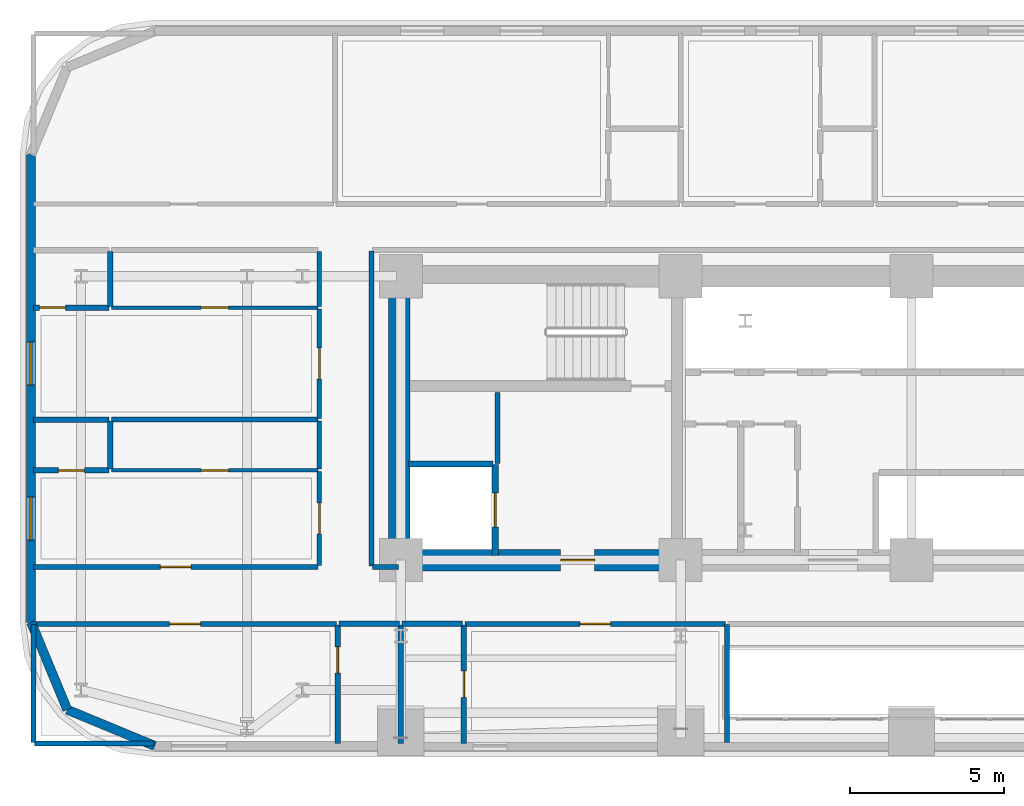
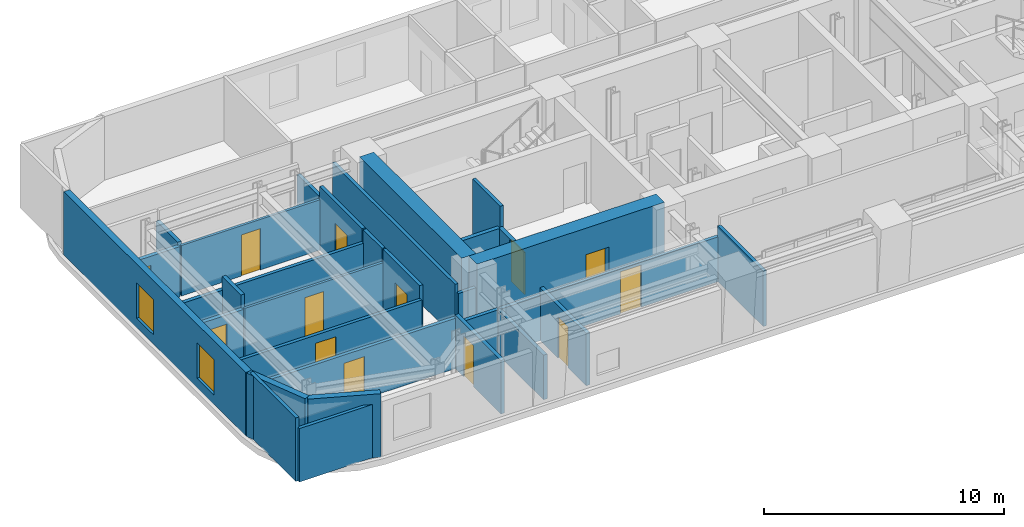
# One storey, part 7 of 15: 33 walls, 13 doors, 2 windows, 15 openings.
"""IFC4 building model written with IfcOpenShell, lengths in metres."""

import ifcopenshell
import ifcopenshell.guid

model = None  # the IFC model being written
_history = None  # IfcOwnerHistory: only IFC2X3 demands one
_inside = {}  # id of a spatial element -> (the spatial element, [elements in it])
_under = {}  # id of a project, library or spatial element -> (it, [spatial elements below it])
_declared = {}  # id of a project -> (the project, [libraries it declares])
_typed = {}  # id of a type object -> (the type object, [elements of that type])
_made_of = {}  # id of a material, layer set ... -> (it, [elements and type objects made of it])


def new_model(schema):
    """Start an empty IFC model of exactly this schema.

    Asked for "IFC4X3", IfcOpenShell would pick the latest addendum, in which some entities
    have other attributes; the version numbers below select the first issue.
    IFC2X3 requires an IfcOwnerHistory on every rooted entity: one is made here for all.
    """
    global model, _history
    if schema == "IFC4X3":
        model = ifcopenshell.file(schema_version=(4, 3, 0, 0))
    else:
        model = ifcopenshell.file(schema=schema)
    _inside.clear()
    _under.clear()
    _declared.clear()
    _typed.clear()
    _made_of.clear()
    _history = None
    if model.schema == "IFC2X3":
        org = make("IfcOrganization", Name="unknown")
        user = make(
            "IfcPersonAndOrganization",
            ThePerson=make("IfcPerson", FamilyName="unknown"),
            TheOrganization=org,
        )
        app = make(
            "IfcApplication",
            ApplicationDeveloper=org,
            Version="unknown",
            ApplicationFullName="unknown",
            ApplicationIdentifier="unknown",
        )
        _history = make(
            "IfcOwnerHistory",
            OwningUser=user,
            OwningApplication=app,
            ChangeAction="ADDED",
            CreationDate=0,
        )
    return model


def make(cls, **values):
    """One entity of the class cls with the attributes given. An attribute that is None is left unset."""
    return model.create_entity(
        cls, **{name: value for name, value in values.items() if value is not None}
    )


def rooted(cls, **values):
    """An entity with a GlobalId (a new one), such as an element, a storey or a relation."""
    return make(cls, GlobalId=ifcopenshell.guid.new(), OwnerHistory=_history, **values)


def si_unit(unit_type, name, prefix=None):
    """IfcSIUnit, for example si_unit("LENGTHUNIT", "METRE", prefix="MILLI")."""
    return make("IfcSIUnit", UnitType=unit_type, Prefix=prefix, Name=name)


def assignment(units):
    """IfcUnitAssignment: the units of a project."""
    return None if units is None else make("IfcUnitAssignment", Units=units)


def point(xyz):
    """IfcCartesianPoint."""
    return None if xyz is None else make("IfcCartesianPoint", Coordinates=xyz)


def direction(xyz):
    """IfcDirection."""
    return None if xyz is None else make("IfcDirection", DirectionRatios=xyz)


def frame(location, z_axis=None, x_axis=None):
    """IfcAxis2Placement3D, a coordinate frame: its origin and axes. An axis left out is left unset."""
    return make(
        "IfcAxis2Placement3D",
        Location=point(location),
        Axis=direction(z_axis),
        RefDirection=direction(x_axis),
    )


def frame_2d(location, x_axis=None):
    """IfcAxis2Placement2D, a coordinate frame in the plane: its origin and x axis."""
    return make(
        "IfcAxis2Placement2D", Location=point(location), RefDirection=direction(x_axis)
    )


def origin():
    """The frame at (0, 0, 0) with its axes left unset."""
    return frame((0.0, 0.0, 0.0))


def place(relative_to, where):
    """IfcLocalPlacement: puts the frame where relative to a parent placement (None: the world)."""
    return make(
        "IfcLocalPlacement", PlacementRelTo=relative_to, RelativePlacement=where
    )


def context(
    kind, dimensions, precision=None, world=None, true_north=None, identifier=None
):
    """IfcGeometricRepresentationContext, for example the 3D "Model" context."""
    return make(
        "IfcGeometricRepresentationContext",
        ContextIdentifier=identifier,
        ContextType=kind,
        CoordinateSpaceDimension=dimensions,
        Precision=precision,
        WorldCoordinateSystem=world,
        TrueNorth=true_north,
    )


def subcontext(parent, identifier, kind, view, scale=None):
    """IfcGeometricRepresentationSubContext, for example "Body" below "Model"."""
    return make(
        "IfcGeometricRepresentationSubContext",
        ContextIdentifier=identifier,
        ContextType=kind,
        ParentContext=parent,
        TargetScale=scale,
        TargetView=view,
    )


def project(units=None, contexts=None):
    """IfcProject with its units and contexts."""
    return rooted(
        "IfcProject",
        Name="project",
        RepresentationContexts=contexts,
        UnitsInContext=assignment(units),
    )


def spatial(cls, under=None, at=None, **own):
    """A site, building, storey or space (cls), placed at a placement, below another one or the project."""
    s = rooted(cls, ObjectPlacement=at, **own)
    if under is not None:
        _under.setdefault(under.id(), (under, []))[1].append(s)
    return s


def profile(cls, at=None, kind="AREA", **sizes):
    """A parametric profile (cls). Its sizes go by their IFC names, for example OverallWidth=200.0."""
    return make(cls, ProfileType=kind, Position=at, **sizes)


def rectangle(**sizes):
    """IfcRectangleProfileDef."""
    return profile("IfcRectangleProfileDef", **sizes)


def extrude(swept, where, along, depth):
    """IfcExtrudedAreaSolid: the profile swept, set in the frame where, extruded along a direction by depth."""
    return make(
        "IfcExtrudedAreaSolid",
        SweptArea=swept,
        Position=where,
        ExtrudedDirection=direction(along),
        Depth=depth,
    )


def shape(context_of_items, identifier, shape_type, items):
    """IfcShapeRepresentation: the items that make up one representation, for example the "Body"."""
    return make(
        "IfcShapeRepresentation",
        ContextOfItems=context_of_items,
        RepresentationIdentifier=identifier,
        RepresentationType=shape_type,
        Items=items,
    )


def material(Name=None, Category=None):
    """IfcMaterial."""
    return make("IfcMaterial", Name=Name, Category=Category)


def layer(
    of_material, thickness, ventilated=None, Name=None, Category=None, Priority=None
):
    """IfcMaterialLayer: one layer of a wall or slab, of a material (None: an air gap)."""
    return make(
        "IfcMaterialLayer",
        Material=of_material,
        LayerThickness=thickness,
        IsVentilated=ventilated,
        Name=Name,
        Category=Category,
        Priority=Priority,
    )


def layer_set(layers, Name=None):
    """IfcMaterialLayerSet."""
    return make("IfcMaterialLayerSet", MaterialLayers=layers, LayerSetName=Name)


def made_of(thing, what):
    """Note that an element or type object is made of a material, layer set ...; save() writes the relation."""
    if what is not None:
        _made_of.setdefault(what.id(), (what, []))[1].append(thing)
    return thing


def type_object(cls, material=None, **own):
    """A type object (cls), such as IfcWallType, which elements share."""
    return made_of(rooted(cls, **own), material)


def element(
    cls,
    number,
    at=None,
    inside=None,
    cuts=None,
    type_object=None,
    material=None,
    context=None,
    identifier="Body",
    shape_type=None,
    held_by="IfcProductDefinitionShape",
    body=None,
    shapes=None,
    **own,
):
    """One element of the class cls, such as IfcWall. Its Tag is "e" and its number.

    at: its placement. inside: the storey or other place that contains it. cuts: it is an
    opening in that element (IfcRelVoidsElement). A single representation is given by context,
    identifier, shape_type and body (its items); several are given by shapes. held_by: the class
    of the entity that holds the representations. save() writes the other relations.
    """
    e = rooted(cls, Tag="e%d" % number, ObjectPlacement=at, **own)
    if body is not None:
        shapes = [shape(context, identifier, shape_type, body)]
    if shapes is not None:
        e.Representation = make(held_by, Representations=shapes)
    if inside is not None:
        _inside.setdefault(inside.id(), (inside, []))[1].append(e)
    if cuts is not None:
        rooted(
            "IfcRelVoidsElement", RelatingBuildingElement=cuts, RelatedOpeningElement=e
        )
    if type_object is not None:
        _typed.setdefault(type_object.id(), (type_object, []))[1].append(e)
    return made_of(e, material)


def fill(opening, filler):
    """IfcRelFillsElement: the door or window that sits in an opening."""
    return rooted(
        "IfcRelFillsElement",
        RelatingOpeningElement=opening,
        RelatedBuildingElement=filler,
    )


def aggregate(whole, parts):
    """IfcRelAggregates: a whole, such as a stair, and the parts it consists of."""
    return rooted("IfcRelAggregates", RelatingObject=whole, RelatedObjects=parts)


def save(model, path):
    """Write the relations noted so far, then the file.

    IfcRelAggregates (storeys below a building ...), IfcRelContainedInSpatialStructure (elements
    in a storey), IfcRelDefinesByType, IfcRelAssociatesMaterial and IfcRelDeclares: one each for
    every whole, place, type object, material and project.
    """
    for whole, parts in _under.values():
        aggregate(whole, parts)
    for where, things in _inside.values():
        rooted(
            "IfcRelContainedInSpatialStructure",
            RelatedElements=things,
            RelatingStructure=where,
        )
    for kind, things in _typed.values():
        rooted("IfcRelDefinesByType", RelatedObjects=things, RelatingType=kind)
    for what, things in _made_of.values():
        rooted("IfcRelAssociatesMaterial", RelatedObjects=things, RelatingMaterial=what)
    for by, libraries in _declared.values():
        rooted("IfcRelDeclares", RelatingContext=by, RelatedDefinitions=libraries)
    model.write(path)


model = new_model("IFC4")

# Units and contexts
model_context = context("Model", 3, precision=1e-05, world=origin(), true_north=direction((0.0, 1.0)))
body_context = subcontext(model_context, "Body", "Model", "MODEL_VIEW")
ifc_project = project(units=[si_unit("LENGTHUNIT", "METRE"), si_unit("AREAUNIT", "SQUARE_METRE"), si_unit("VOLUMEUNIT", "CUBIC_METRE"), si_unit("PLANEANGLEUNIT", "RADIAN"), si_unit("MASSUNIT", "GRAM", prefix="KILO")], contexts=[model_context])

# Site, building, storey
site_placement = place(None, origin())
site = spatial("IfcSite", under=ifc_project, at=site_placement, CompositionType="ELEMENT")
building_placement = place(site_placement, origin())
building = spatial("IfcBuilding", under=site, at=building_placement, Name="Zarnavel Station Tower", CompositionType="ELEMENT")
storey_placement = place(building_placement, frame((0.0, 0.0, 43.0)))
storey = spatial("IfcBuildingStorey", under=building, at=storey_placement, Name="L11", CompositionType="ELEMENT", Elevation=43.0)

# Wall, opening, door
ifc_material_1 = material(Name="Concrete C60/75", Category="concrete")
ifc_layer_1 = layer(ifc_material_1, 0.699951171875)
ifc_layer_set_1 = layer_set([ifc_layer_1], Name="CW_700")
wall_type_1 = type_object("IfcWallType", Name="CW_700", PredefinedType="SHEAR", material=ifc_layer_set_1)
wall_1_placement = place(storey_placement, frame((21.179931640625, 27.820068359375, 0.0), z_axis=(0.0, 0.0, 1.0), x_axis=(-1.0, 0.0, 0.0)))
wall_1 = element("IfcWall", 1, at=wall_1_placement, inside=storey, type_object=wall_type_1, Name="L11 Rear Core Shear Wall S-W", PredefinedType="SHEAR", context=body_context, shape_type="SweptSolid", body=[
    extrude(rectangle(XDim=9.030029296875, YDim=0.699951171875, at=frame_2d((4.51513671875, 0.0))), origin(), (0.0, 0.0, 1.0), 3.5),
])
opening_1_placement = place(wall_1_placement, frame((2.679931640625, 0.0, 0.0)))
opening_1 = element("IfcOpeningElement", 2, at=opening_1_placement, cuts=wall_1, Name="Opening FD01", PredefinedType="OPENING", context=body_context, shape_type="SweptSolid", body=[
    extrude(rectangle(XDim=1.10009765625, YDim=2.14990234375, at=frame_2d((0.550048828125, 1.074951171875))), frame((0.0, 0.35986328125, 0.0), z_axis=(0.0, -1.0, 0.0), x_axis=(1.0, 0.0, 0.0)), (0.0, 0.0, 1.0), 0.719970703125),
])
ifc_material_2 = material(Name="Painted Galvanised Steel and Hardwood Leaf", Category="steel")
door_type_1 = type_object("IfcDoorType", Name="ID_STAIR_1100", OperationType="NOTDEFINED", PredefinedType="DOOR", material=ifc_material_2)
door_1_placement = place(opening_1_placement, origin())
door_1 = element("IfcDoor", 3, at=door_1_placement, inside=storey, type_object=door_type_1, Name="L11 West Firefighting Lobby Door", OperationType="SINGLE_SWING_RIGHT", OverallHeight=2.14990234375, OverallWidth=1.10009765625, PredefinedType="DOOR", context=body_context, shape_type="SweptSolid", body=[
    extrude(rectangle(XDim=1.10009765625, YDim=2.14990234375, at=frame_2d((0.550048828125, 1.074951171875))), frame((0.0, 0.02490234375, 0.0), z_axis=(0.0, -1.0, 0.0), x_axis=(1.0, 0.0, 0.0)), (0.0, 0.0, 1.0), 0.050048828125),
])
fill(opening_1, door_1)

# Wall
wall_2_placement = place(storey_placement, frame((12.14990234375, 28.169921875, 0.0), z_axis=(0.0, 0.0, 1.0), x_axis=(0.0, 1.0, 0.0)))
element("IfcWall", 4, at=wall_2_placement, inside=storey, type_object=wall_type_1, Name="L11 Rear Core Shear Wall W", PredefinedType="SHEAR", context=body_context, shape_type="SweptSolid", body=[
    extrude(rectangle(XDim=8.530029296875, YDim=0.699951171875, at=frame_2d((4.26513671875, 0.0))), origin(), (0.0, 0.0, 1.0), 3.5),
])

# Wall, openings, windows
ifc_material_3 = material(Name="Precast concrete C45/55 (Dark Basalt Finish)", Category="masonry")
ifc_layer_2 = layer(ifc_material_3, 0.300048828125)
ifc_layer_set_2 = layer_set([ifc_layer_2], Name="EW_BASALT_300")
wall_type_2 = type_object("IfcWallType", Name="EW_BASALT_300", PredefinedType="SOLIDWALL", material=ifc_layer_set_2)
wall_3_placement = place(storey_placement, frame((0.179931640625, 25.800048828125, 0.0), z_axis=(0.0, 0.0, 1.0), x_axis=(0.0, 1.0, 0.0)))
wall_3 = element("IfcWall", 5, at=wall_3_placement, inside=storey, type_object=wall_type_2, Name="L11 Exterior Basalt Masonry Frame Wall 09", PredefinedType="SOLIDWALL", context=body_context, shape_type="SweptSolid", body=[
    extrude(rectangle(XDim=15.199951171875, YDim=0.300048828125, at=frame_2d((7.60009765625, 0.0))), origin(), (0.0, 0.0, 1.0), 3.239990234375),
])
opening_2_placement = place(wall_3_placement, frame((2.67041015625, 0.0, 0.47998046875)))
opening_2 = element("IfcOpeningElement", 6, at=opening_2_placement, cuts=wall_3, Name="Opening WN01", PredefinedType="OPENING", context=body_context, shape_type="SweptSolid", body=[
    extrude(rectangle(XDim=1.39990234375, YDim=1.800048828125, at=frame_2d((0.699951171875, 0.89990234375))), frame((0.0, 0.159912109375, 0.0), z_axis=(0.0, -1.0, 0.0), x_axis=(1.0, 0.0, 0.0)), (0.0, 0.0, 1.0), 0.320068359375),
])
opening_3_placement = place(wall_3_placement, frame((7.708984375, 0.0, 0.47998046875)))
opening_3 = element("IfcOpeningElement", 7, at=opening_3_placement, cuts=wall_3, Name="Opening WN01", PredefinedType="OPENING", context=body_context, shape_type="SweptSolid", body=[
    extrude(rectangle(XDim=1.39990234375, YDim=1.800048828125, at=frame_2d((0.699951171875, 0.89990234375))), frame((0.0, 0.159912109375, 0.0), z_axis=(0.0, -1.0, 0.0), x_axis=(1.0, 0.0, 0.0)), (0.0, 0.0, 1.0), 0.320068359375),
])
ifc_material_4 = material(Name="Thermally Broken Black Aluminium and Low-E Dark Glass", Category="aluminium")
window_type = type_object("IfcWindowType", Name="WN_1400x1800", PartitioningType="DOUBLE_PANEL_VERTICAL", PredefinedType="WINDOW", material=ifc_material_4)
window_1_placement = place(opening_2_placement, origin())
window_1 = element("IfcWindow", 8, at=window_1_placement, inside=storey, type_object=window_type, Name="L11 Recessed Facade Window 01", OverallHeight=1.800048828125, OverallWidth=1.39990234375, PartitioningType="SINGLE_PANEL", PredefinedType="WINDOW", context=body_context, shape_type="SweptSolid", body=[
    extrude(rectangle(XDim=1.39990234375, YDim=1.800048828125, at=frame_2d((0.699951171875, 0.89990234375))), frame((0.0, 0.030029296875, 0.0), z_axis=(0.0, -1.0, 0.0), x_axis=(1.0, 0.0, 0.0)), (0.0, 0.0, 1.0), 0.06005859375),
])
fill(opening_2, window_1)
window_2_placement = place(opening_3_placement, origin())
window_2 = element("IfcWindow", 9, at=window_2_placement, inside=storey, type_object=window_type, Name="L11 Recessed Facade Window 02", OverallHeight=1.800048828125, OverallWidth=1.39990234375, PartitioningType="SINGLE_PANEL", PredefinedType="WINDOW", context=body_context, shape_type="SweptSolid", body=[
    extrude(rectangle(XDim=1.39990234375, YDim=1.800048828125, at=frame_2d((0.699951171875, 0.89990234375))), frame((0.0, 0.030029296875, 0.0), z_axis=(0.0, -1.0, 0.0), x_axis=(1.0, 0.0, 0.0)), (0.0, 0.0, 1.0), 0.06005859375),
])
fill(opening_3, window_2)

# Walls
for number, where, z_axis, x_axis, name in (
    (10, (1.357421875, 22.95751953125, 0.0), (0.0, 0.0, 1.0), (-0.382704529509, 0.923870793506, 0.0), "L11 Exterior Basalt Masonry Frame Wall 10"),
    (11, (4.199951171875, 21.780029296875, 0.0), (0.0, 0.0, 1.0), (-0.923870793506, 0.382704529509, 0.0), "L11 Exterior Basalt Masonry Frame Wall 11"),
):
    element("IfcWall", number, at=place(storey_placement, frame(where, z_axis=z_axis, x_axis=x_axis)), inside=storey, type_object=wall_type_2, Name=name, PredefinedType="SOLIDWALL", context=body_context, shape_type="SweptSolid", body=[
        extrude(rectangle(XDim=3.07666015625, YDim=0.300048828125, at=frame_2d((1.538330078125, 0.0))), origin(), (0.0, 0.0, 1.0), 3.239990234375),
    ])

# Wall, opening, door
ifc_material_5 = material(Name="Gypsum Twin-Stud Acoustic Fire Partition", Category="concrete")
ifc_layer_3 = layer(ifc_material_5, 0.159912109375)
ifc_layer_set_3 = layer_set([ifc_layer_3], Name="PT_DEMISE_160")
wall_type_3 = type_object("IfcWallType", Name="PT_DEMISE_160", PredefinedType="PARTITIONING", material=ifc_layer_set_3)
wall_4_placement = place(storey_placement, frame((0.260009765625, 27.60009765625, 0.0), z_axis=(0.0, 0.0, 1.0), x_axis=(1.0, 0.0, 0.0)))
wall_4 = element("IfcWall", 12, at=wall_4_placement, inside=storey, type_object=wall_type_3, Name="L11 Partition COR-S-FNW1R", PredefinedType="PARTITIONING", context=body_context, shape_type="SweptSolid", body=[
    extrude(rectangle(XDim=9.25, YDim=0.159912109375, at=frame_2d((4.625, 0.0))), origin(), (0.0, 0.0, 1.0), 2.570068359375),
])
opening_4_placement = place(wall_4_placement, frame((4.125, 0.0, 0.0)))
opening_4 = element("IfcOpeningElement", 13, at=opening_4_placement, cuts=wall_4, Name="Opening FD02", PredefinedType="OPENING", context=body_context, shape_type="SweptSolid", body=[
    extrude(rectangle(XDim=1.0, YDim=2.14990234375, at=frame_2d((0.5, 1.074951171875))), frame((0.0, 0.08984375, 0.0), z_axis=(0.0, -1.0, 0.0), x_axis=(1.0, 0.0, 0.0)), (0.0, 0.0, 1.0), 0.179931640625),
])
ifc_material_6 = material(Name="Painted Galvanised Steel and Hardwood Leaf", Category="steel")
door_type_2 = type_object("IfcDoorType", Name="ID_ENTRY_1000", OperationType="NOTDEFINED", PredefinedType="DOOR", material=ifc_material_6)
door_2_placement = place(opening_4_placement, origin())
door_2 = element("IfcDoor", 14, at=door_2_placement, inside=storey, type_object=door_type_2, Name="L11 Door COR-S-FNW1R", OperationType="SINGLE_SWING_RIGHT", OverallHeight=2.14990234375, OverallWidth=1.0, PredefinedType="DOOR", context=body_context, shape_type="SweptSolid", body=[
    extrude(rectangle(XDim=1.0, YDim=2.14990234375, at=frame_2d((0.5, 1.074951171875))), frame((0.0, 0.02490234375, 0.0), z_axis=(0.0, -1.0, 0.0), x_axis=(1.0, 0.0, 0.0)), (0.0, 0.0, 1.0), 0.050048828125),
])
fill(opening_4, door_2)

wall_5_placement = place(storey_placement, frame((0.260009765625, 25.75, 0.0), z_axis=(0.0, 0.0, 1.0), x_axis=(1.0, 0.0, 0.0)))
wall_5 = element("IfcWall", 15, at=wall_5_placement, inside=storey, type_object=wall_type_3, Name="L11 Partition COR-S-HW1R", PredefinedType="PARTITIONING", context=body_context, shape_type="SweptSolid", body=[
    extrude(rectangle(XDim=9.85009765625, YDim=0.159912109375, at=frame_2d((4.925048828125, 0.0))), origin(), (0.0, 0.0, 1.0), 2.570068359375),
])
opening_5_placement = place(wall_5_placement, frame((4.425048828125, 0.0, 0.0)))
opening_5 = element("IfcOpeningElement", 16, at=opening_5_placement, cuts=wall_5, Name="Opening FD02", PredefinedType="OPENING", context=body_context, shape_type="SweptSolid", body=[
    extrude(rectangle(XDim=1.0, YDim=2.14990234375, at=frame_2d((0.5, 1.074951171875))), frame((0.0, 0.08984375, 0.0), z_axis=(0.0, -1.0, 0.0), x_axis=(1.0, 0.0, 0.0)), (0.0, 0.0, 1.0), 0.179931640625),
])
door_3_placement = place(opening_5_placement, origin())
door_3 = element("IfcDoor", 17, at=door_3_placement, inside=storey, type_object=door_type_2, Name="L11 Door COR-S-HW1R", OperationType="SINGLE_SWING_RIGHT", OverallHeight=2.14990234375, OverallWidth=1.0, PredefinedType="DOOR", context=body_context, shape_type="SweptSolid", body=[
    extrude(rectangle(XDim=1.0, YDim=2.14990234375, at=frame_2d((0.5, 1.074951171875))), frame((0.0, 0.02490234375, 0.0), z_axis=(0.0, -1.0, 0.0), x_axis=(1.0, 0.0, 0.0)), (0.0, 0.0, 1.0), 0.050048828125),
])
fill(opening_5, door_3)

wall_6_placement = place(storey_placement, frame((14.2900390625, 25.75, 0.0), z_axis=(0.0, 0.0, 1.0), x_axis=(1.0, 0.0, 0.0)))
wall_6 = element("IfcWall", 18, at=wall_6_placement, inside=storey, type_object=wall_type_3, Name="L11 Partition COR-S-HW2R", PredefinedType="PARTITIONING", context=body_context, shape_type="SweptSolid", body=[
    extrude(rectangle(XDim=8.469970703125, YDim=0.159912109375, at=frame_2d((4.23486328125, 0.0))), origin(), (0.0, 0.0, 1.0), 2.280029296875),
])
opening_6_placement = place(wall_6_placement, frame((3.735107421875, 0.0, 0.0)))
opening_6 = element("IfcOpeningElement", 19, at=opening_6_placement, cuts=wall_6, Name="Opening FD02", PredefinedType="OPENING", context=body_context, shape_type="SweptSolid", body=[
    extrude(rectangle(XDim=1.0, YDim=2.14990234375, at=frame_2d((0.5, 1.074951171875))), frame((0.0, 0.08984375, 0.0), z_axis=(0.0, -1.0, 0.0), x_axis=(1.0, 0.0, 0.0)), (0.0, 0.0, 1.0), 0.179931640625),
])
door_4_placement = place(opening_6_placement, origin())
door_4 = element("IfcDoor", 20, at=door_4_placement, inside=storey, type_object=door_type_2, Name="L11 Door COR-S-HW2R", OperationType="SINGLE_SWING_LEFT", OverallHeight=2.14990234375, OverallWidth=1.0, PredefinedType="DOOR", context=body_context, shape_type="SweptSolid", body=[
    extrude(rectangle(XDim=1.0, YDim=2.14990234375, at=frame_2d((0.5, 1.074951171875))), frame((0.0, 0.02490234375, 0.0), z_axis=(0.0, -1.0, 0.0), x_axis=(1.0, 0.0, 0.0)), (0.0, 0.0, 1.0), 0.050048828125),
])
fill(opening_6, door_4)

wall_7_placement = place(storey_placement, frame((9.550048828125, 27.639892578125, 0.0), z_axis=(0.0, 0.0, 1.0), x_axis=(0.0, 1.0, 0.0)))
wall_7 = element("IfcWall", 21, at=wall_7_placement, inside=storey, type_object=wall_type_3, Name="L11 Partition COR-W-FNW1R", PredefinedType="PARTITIONING", context=body_context, shape_type="SweptSolid", body=[
    extrude(rectangle(XDim=3.06103515625, YDim=0.159912109375, at=frame_2d((1.530517578125, 0.0))), origin(), (0.0, 0.0, 1.0), 3.239990234375),
])
opening_7_placement = place(wall_7_placement, frame((1.030517578125, 0.0, 0.0)))
opening_7 = element("IfcOpeningElement", 22, at=opening_7_placement, cuts=wall_7, Name="Opening FD02", PredefinedType="OPENING", context=body_context, shape_type="SweptSolid", body=[
    extrude(rectangle(XDim=1.0, YDim=2.14990234375, at=frame_2d((0.5, 1.074951171875))), frame((0.0, 0.08984375, 0.0), z_axis=(0.0, -1.0, 0.0), x_axis=(1.0, 0.0, 0.0)), (0.0, 0.0, 1.0), 0.179931640625),
])
door_5_placement = place(opening_7_placement, origin())
door_5 = element("IfcDoor", 23, at=door_5_placement, inside=storey, type_object=door_type_2, Name="L11 Door COR-W-FNW1R", OperationType="SINGLE_SWING_RIGHT", OverallHeight=2.14990234375, OverallWidth=1.0, PredefinedType="DOOR", context=body_context, shape_type="SweptSolid", body=[
    extrude(rectangle(XDim=1.0, YDim=2.14990234375, at=frame_2d((0.5, 1.074951171875))), frame((0.0, 0.02490234375, 0.0), z_axis=(0.0, -1.0, 0.0), x_axis=(1.0, 0.0, 0.0)), (0.0, 0.0, 1.0), 0.050048828125),
])
fill(opening_7, door_5)

# Wall
wall_8_placement = place(storey_placement, frame((9.550048828125, 30.781005859375, 0.0), z_axis=(0.0, 0.0, 1.0), x_axis=(0.0, 1.0, 0.0)))
element("IfcWall", 24, at=wall_8_placement, inside=storey, type_object=wall_type_3, Name="L11 Partition COR-W-FNW1S", PredefinedType="PARTITIONING", context=body_context, shape_type="SweptSolid", body=[
    extrude(rectangle(XDim=1.570068359375, YDim=0.159912109375, at=frame_2d((0.78515625, 0.0))), origin(), (0.0, 0.0, 1.0), 3.239990234375),
])

# Wall, opening, door
wall_9_placement = place(storey_placement, frame((9.550048828125, 32.430908203125, 0.0), z_axis=(0.0, 0.0, 1.0), x_axis=(0.0, 1.0, 0.0)))
wall_9 = element("IfcWall", 25, at=wall_9_placement, inside=storey, type_object=wall_type_3, Name="L11 Partition COR-W-FNW2R", PredefinedType="PARTITIONING", context=body_context, shape_type="SweptSolid", body=[
    extrude(rectangle(XDim=3.55615234375, YDim=0.159912109375, at=frame_2d((1.778076171875, 0.0))), origin(), (0.0, 0.0, 1.0), 3.239990234375),
])
opening_8_placement = place(wall_9_placement, frame((1.278076171875, 0.0, 0.0)))
opening_8 = element("IfcOpeningElement", 26, at=opening_8_placement, cuts=wall_9, Name="Opening FD02", PredefinedType="OPENING", context=body_context, shape_type="SweptSolid", body=[
    extrude(rectangle(XDim=1.0, YDim=2.14990234375, at=frame_2d((0.5, 1.074951171875))), frame((0.0, 0.08984375, 0.0), z_axis=(0.0, -1.0, 0.0), x_axis=(1.0, 0.0, 0.0)), (0.0, 0.0, 1.0), 0.179931640625),
])
door_6_placement = place(opening_8_placement, origin())
door_6 = element("IfcDoor", 27, at=door_6_placement, inside=storey, type_object=door_type_2, Name="L11 Door COR-W-FNW2R", OperationType="SINGLE_SWING_LEFT", OverallHeight=2.14990234375, OverallWidth=1.0, PredefinedType="DOOR", context=body_context, shape_type="SweptSolid", body=[
    extrude(rectangle(XDim=1.0, YDim=2.14990234375, at=frame_2d((0.5, 1.074951171875))), frame((0.0, 0.02490234375, 0.0), z_axis=(0.0, -1.0, 0.0), x_axis=(1.0, 0.0, 0.0)), (0.0, 0.0, 1.0), 0.050048828125),
])
fill(opening_8, door_6)

# Walls
wall_10_placement = place(storey_placement, frame((9.550048828125, 36.06689453125, 0.0), z_axis=(0.0, 0.0, 1.0), x_axis=(0.0, 1.0, 0.0)))
element("IfcWall", 28, at=wall_10_placement, inside=storey, type_object=wall_type_3, Name="L11 Partition COR-W-FNW2S", PredefinedType="PARTITIONING", context=body_context, shape_type="SweptSolid", body=[
    extrude(rectangle(XDim=1.793212890625, YDim=0.159912109375, at=frame_2d((0.896484375, 0.0))), origin(), (0.0, 0.0, 1.0), 2.719970703125),
])
wall_11_placement = place(storey_placement, frame((2.800048828125, 32.39111328125, 0.0), z_axis=(0.0, 0.0, 1.0), x_axis=(1.0, 0.0, 0.0)))
element("IfcWall", 29, at=wall_11_placement, inside=storey, type_object=wall_type_3, Name="L11 Partition FNW1S-FNW2R", PredefinedType="PARTITIONING", context=body_context, shape_type="SweptSolid", body=[
    extrude(rectangle(XDim=6.7099609375, YDim=0.159912109375, at=frame_2d((3.35498046875, 0.0))), origin(), (0.0, 0.0, 1.0), 2.570068359375),
])
wall_12_placement = place(storey_placement, frame((15.35009765625, 30.9599609375, 0.0), z_axis=(0.0, 0.0, 1.0), x_axis=(0.0, 1.0, 0.0)))
element("IfcWall", 30, at=wall_12_placement, inside=storey, type_object=wall_type_3, Name="L11 Enclosure Wall FFL1", PredefinedType="PARTITIONING", context=body_context, shape_type="SweptSolid", body=[
    extrude(rectangle(XDim=2.31005859375, YDim=0.159912109375, at=frame_2d((1.155029296875, 0.0))), origin(), (0.0, 0.0, 1.0), 3.239990234375),
])
wall_13_placement = place(storey_placement, frame((11.280029296875, 27.60009765625, 0.0), z_axis=(0.0, 0.0, 1.0), x_axis=(1.0, 0.0, 0.0)))
element("IfcWall", 31, at=wall_13_placement, inside=storey, type_object=wall_type_3, Name="L11 Enclosure Wall COR-S", PredefinedType="PARTITIONING", context=body_context, shape_type="SweptSolid", body=[
    extrude(rectangle(XDim=0.840087890625, YDim=0.159912109375, at=frame_2d((0.419921875, 0.0))), origin(), (0.0, 0.0, 1.0), 2.280029296875),
])
wall_14_placement = place(storey_placement, frame((11.25, 27.6298828125, 0.0), z_axis=(0.0, 0.0, 1.0), x_axis=(0.0, 1.0, 0.0)))
element("IfcWall", 32, at=wall_14_placement, inside=storey, type_object=wall_type_3, Name="L11 Enclosure Wall COR-W", PredefinedType="PARTITIONING", context=body_context, shape_type="SweptSolid", body=[
    extrude(rectangle(XDim=10.240234375, YDim=0.159912109375, at=frame_2d((5.1201171875, 0.0))), origin(), (0.0, 0.0, 1.0), 2.719970703125),
])
wall_15_placement = place(storey_placement, frame((0.2900390625, 21.860107421875, 0.0), z_axis=(0.0, 0.0, 1.0), x_axis=(1.0, 0.0, 0.0)))
element("IfcWall", 33, at=wall_15_placement, inside=storey, type_object=wall_type_3, Name="L11 Enclosure Wall HW1R", PredefinedType="PARTITIONING", context=body_context, shape_type="SweptSolid", body=[
    extrude(rectangle(XDim=3.8798828125, YDim=0.159912109375, at=frame_2d((1.93994140625, 0.0))), origin(), (0.0, 0.0, 1.0), 2.719970703125),
])
wall_16_placement = place(storey_placement, frame((0.260009765625, 21.889892578125, 0.0), z_axis=(0.0, 0.0, 1.0), x_axis=(0.0, 1.0, 0.0)))
element("IfcWall", 34, at=wall_16_placement, inside=storey, type_object=wall_type_3, Name="L11 Enclosure Wall HW1R", PredefinedType="PARTITIONING", context=body_context, shape_type="SweptSolid", body=[
    extrude(rectangle(XDim=3.830078125, YDim=0.159912109375, at=frame_2d((1.9150390625, 0.0))), origin(), (0.0, 0.0, 1.0), 3.239990234375),
])
wall_17_placement = place(storey_placement, frame((22.800048828125, 21.889892578125, 0.0), z_axis=(0.0, 0.0, 1.0), x_axis=(0.0, 1.0, 0.0)))
element("IfcWall", 35, at=wall_17_placement, inside=storey, type_object=wall_type_3, Name="L11 Enclosure Wall HW2R", PredefinedType="PARTITIONING", context=body_context, shape_type="SweptSolid", body=[
    extrude(rectangle(XDim=3.830078125, YDim=0.159912109375, at=frame_2d((1.9150390625, 0.0))), origin(), (0.0, 0.0, 1.0), 2.820068359375),
])

# Wall, opening, door
ifc_material_7 = material(Name="Gypsum Metal-Stud Interior Partition", Category="concrete")
ifc_layer_4 = layer(ifc_material_7, 0.1201171875)
ifc_layer_set_4 = layer_set([ifc_layer_4], Name="PT_ROOM_120")
wall_type_4 = type_object("IfcWallType", Name="PT_ROOM_120", PredefinedType="PARTITIONING", material=ifc_layer_set_4)
wall_18_placement = place(storey_placement, frame((2.800048828125, 30.740966796875, 0.0), z_axis=(0.0, 0.0, 1.0), x_axis=(1.0, 0.0, 0.0)))
wall_18 = element("IfcWall", 36, at=wall_18_placement, inside=storey, type_object=wall_type_4, Name="L11 Partition FNW1R-FNW1S", PredefinedType="PARTITIONING", context=body_context, shape_type="SweptSolid", body=[
    extrude(rectangle(XDim=6.7099609375, YDim=0.1201171875, at=frame_2d((3.35498046875, 0.0))), origin(), (0.0, 0.0, 1.0), 2.570068359375),
])
opening_9_placement = place(wall_18_placement, frame((2.905029296875, 0.0, 0.0)))
opening_9 = element("IfcOpeningElement", 37, at=opening_9_placement, cuts=wall_18, Name="Opening ID01", PredefinedType="OPENING", context=body_context, shape_type="SweptSolid", body=[
    extrude(rectangle(XDim=0.89990234375, YDim=2.10009765625, at=frame_2d((0.449951171875, 1.050048828125))), frame((0.0, 0.070068359375, 0.0), z_axis=(0.0, -1.0, 0.0), x_axis=(1.0, 0.0, 0.0)), (0.0, 0.0, 1.0), 0.14013671875),
])
ifc_material_8 = material(Name="Painted Galvanised Steel and Hardwood Leaf", Category="steel")
door_type_3 = type_object("IfcDoorType", Name="ID_ROOM_900", OperationType="NOTDEFINED", PredefinedType="DOOR", material=ifc_material_8)
door_7_placement = place(opening_9_placement, origin())
door_7 = element("IfcDoor", 38, at=door_7_placement, inside=storey, type_object=door_type_3, Name="L11 Door FNW1R-FNW1S", OperationType="SINGLE_SWING_RIGHT", OverallHeight=2.10009765625, OverallWidth=0.89990234375, PredefinedType="DOOR", context=body_context, shape_type="SweptSolid", body=[
    extrude(rectangle(XDim=0.89990234375, YDim=2.10009765625, at=frame_2d((0.449951171875, 1.050048828125))), frame((0.0, 0.02490234375, 0.0), z_axis=(0.0, -1.0, 0.0), x_axis=(1.0, 0.0, 0.0)), (0.0, 0.0, 1.0), 0.050048828125),
])
fill(opening_9, door_7)

wall_19_placement = place(storey_placement, frame((2.800048828125, 36.027099609375, 0.0), z_axis=(0.0, 0.0, 1.0), x_axis=(1.0, 0.0, 0.0)))
wall_19 = element("IfcWall", 39, at=wall_19_placement, inside=storey, type_object=wall_type_4, Name="L11 Partition FNW2R-FNW2S", PredefinedType="PARTITIONING", context=body_context, shape_type="SweptSolid", body=[
    extrude(rectangle(XDim=6.7099609375, YDim=0.1201171875, at=frame_2d((3.35498046875, 0.0))), origin(), (0.0, 0.0, 1.0), 2.570068359375),
])
opening_10_placement = place(wall_19_placement, frame((2.905029296875, 0.0, 0.0)))
opening_10 = element("IfcOpeningElement", 40, at=opening_10_placement, cuts=wall_19, Name="Opening ID01", PredefinedType="OPENING", context=body_context, shape_type="SweptSolid", body=[
    extrude(rectangle(XDim=0.89990234375, YDim=2.10009765625, at=frame_2d((0.449951171875, 1.050048828125))), frame((0.0, 0.070068359375, 0.0), z_axis=(0.0, -1.0, 0.0), x_axis=(1.0, 0.0, 0.0)), (0.0, 0.0, 1.0), 0.14013671875),
])
door_8_placement = place(opening_10_placement, origin())
door_8 = element("IfcDoor", 41, at=door_8_placement, inside=storey, type_object=door_type_3, Name="L11 Door FNW2R-FNW2S", OperationType="SINGLE_SWING_RIGHT", OverallHeight=2.10009765625, OverallWidth=0.89990234375, PredefinedType="DOOR", context=body_context, shape_type="SweptSolid", body=[
    extrude(rectangle(XDim=0.89990234375, YDim=2.10009765625, at=frame_2d((0.449951171875, 1.050048828125))), frame((0.0, 0.02490234375, 0.0), z_axis=(0.0, -1.0, 0.0), x_axis=(1.0, 0.0, 0.0)), (0.0, 0.0, 1.0), 0.050048828125),
])
fill(opening_10, door_8)

ifc_material_9 = material(Name="Precast concrete C45/55 (Fire Shaft Blockwork)", Category="masonry")
ifc_layer_5 = layer(ifc_material_9, 0.199951171875)
ifc_layer_set_5 = layer_set([ifc_layer_5], Name="PT_SHAFT_200")
wall_type_5 = type_object("IfcWallType", Name="PT_SHAFT_200", PredefinedType="PARTITIONING", material=ifc_layer_set_5)
wall_20_placement = place(storey_placement, frame((15.27001953125, 27.969970703125, 0.0), z_axis=(0.0, 0.0, 1.0), x_axis=(0.0, 1.0, 0.0)))
wall_20 = element("IfcWall", 42, at=wall_20_placement, inside=storey, type_object=wall_type_5, Name="L11 Lift FFL-01 Shaft Front Wall", PredefinedType="PARTITIONING", context=body_context, shape_type="SweptSolid", body=[
    extrude(rectangle(XDim=2.9599609375, YDim=0.199951171875, at=frame_2d((1.47998046875, 0.0))), origin(), (0.0, 0.0, 1.0), 2.2119140625),
])
opening_11_placement = place(wall_20_placement, frame((0.929931640625, 0.0, 0.0)))
opening_11 = element("IfcOpeningElement", 43, at=opening_11_placement, cuts=wall_20, Name="Opening LD01", PredefinedType="OPENING", context=body_context, shape_type="SweptSolid", body=[
    extrude(rectangle(XDim=1.10009765625, YDim=2.14990234375, at=frame_2d((0.550048828125, 1.074951171875))), frame((0.0, 0.10986328125, 0.0), z_axis=(0.0, -1.0, 0.0), x_axis=(1.0, 0.0, 0.0)), (0.0, 0.0, 1.0), 0.219970703125),
])
ifc_material_10 = material(Name="Painted Galvanised Steel and Hardwood Leaf", Category="steel")
door_type_4 = type_object("IfcDoorType", Name="LD_FF_1100", OperationType="DOUBLE_DOOR_SLIDING", PredefinedType="DOOR", material=ifc_material_10)
door_9_placement = place(opening_11_placement, origin())
door_9 = element("IfcDoor", 44, at=door_9_placement, inside=storey, type_object=door_type_4, Name="L11 Lift FFL-01 Sliding Landing Door", OperationType="DOUBLE_DOOR_SLIDING", OverallHeight=2.14990234375, OverallWidth=1.10009765625, PredefinedType="DOOR", context=body_context, shape_type="SweptSolid", body=[
    extrude(rectangle(XDim=1.10009765625, YDim=2.14990234375, at=frame_2d((0.550048828125, 1.074951171875))), frame((0.0, 0.02490234375, 0.0), z_axis=(0.0, -1.0, 0.0), x_axis=(1.0, 0.0, 0.0)), (0.0, 0.0, 1.0), 0.050048828125),
])
fill(opening_11, door_9)

# Walls
wall_21_placement = place(storey_placement, frame((12.449951171875, 30.949951171875, 0.0), z_axis=(0.0, 0.0, 1.0), x_axis=(1.0, 0.0, 0.0)))
element("IfcWall", 45, at=wall_21_placement, inside=storey, type_object=wall_type_5, Name="L11 Lift FFL-01 North Shaft Wall", PredefinedType="PARTITIONING", context=body_context, shape_type="SweptSolid", body=[
    extrude(rectangle(XDim=2.75, YDim=0.199951171875, at=frame_2d((1.375, 0.0))), origin(), (0.0, 0.0, 1.0), 2.2119140625),
])
ifc_material_11 = material(Name="Moisture-Resistant Plumbing Chase Wall", Category="concrete")
ifc_layer_6 = layer(ifc_material_11, 0.179931640625)
ifc_layer_set_6 = layer_set([ifc_layer_6], Name="PW_PLUMB_180")
wall_type_6 = type_object("IfcWallType", Name="PW_PLUMB_180", PredefinedType="PLUMBINGWALL", material=ifc_layer_set_6)
for number, where, z_axis, x_axis, name in (
    (46, (10.18994140625, 25.75, 0.0), (0.0, 0.0, 1.0), (1.0, 0.0, 0.0), "L11 Partition COR-S-HW1B"),
    (47, (12.239990234375, 25.75, 0.0), (0.0, 0.0, 1.0), (1.0, 0.0, 0.0), "L11 Partition COR-S-HW2B"),
):
    element("IfcWall", number, at=place(storey_placement, frame(where, z_axis=z_axis, x_axis=x_axis)), inside=storey, type_object=wall_type_6, Name=name, PredefinedType="PLUMBINGWALL", context=body_context, shape_type="SweptSolid", body=[
        extrude(rectangle(XDim=1.969970703125, YDim=0.179931640625, at=frame_2d((0.98486328125, 0.0))), origin(), (0.0, 0.0, 1.0), 2.280029296875),
    ])

# Wall, opening, door
wall_22_placement = place(storey_placement, frame((0.260009765625, 30.740966796875, 0.0), z_axis=(0.0, 0.0, 1.0), x_axis=(1.0, 0.0, 0.0)))
wall_22 = element("IfcWall", 48, at=wall_22_placement, inside=storey, type_object=wall_type_6, Name="L11 Partition FNW1R-FNW1B", PredefinedType="PLUMBINGWALL", context=body_context, shape_type="SweptSolid", body=[
    extrude(rectangle(XDim=2.4599609375, YDim=0.179931640625, at=frame_2d((1.22998046875, 0.0))), origin(), (0.0, 0.0, 1.0), 2.570068359375),
])
opening_12_placement = place(wall_22_placement, frame((0.804931640625, 0.0, 0.0)))
opening_12 = element("IfcOpeningElement", 49, at=opening_12_placement, cuts=wall_22, Name="Opening ID02", PredefinedType="OPENING", context=body_context, shape_type="SweptSolid", body=[
    extrude(rectangle(XDim=0.85009765625, YDim=2.10009765625, at=frame_2d((0.425048828125, 1.050048828125))), frame((0.0, 0.099853515625, 0.0), z_axis=(0.0, -1.0, 0.0), x_axis=(1.0, 0.0, 0.0)), (0.0, 0.0, 1.0), 0.199951171875),
])
ifc_material_12 = material(Name="Painted Galvanised Steel and Hardwood Leaf", Category="steel")
door_type_5 = type_object("IfcDoorType", Name="ID_BATH_850", OperationType="NOTDEFINED", PredefinedType="DOOR", material=ifc_material_12)
door_10_placement = place(opening_12_placement, origin())
door_10 = element("IfcDoor", 50, at=door_10_placement, inside=storey, type_object=door_type_5, Name="L11 Door FNW1R-FNW1B", OperationType="SINGLE_SWING_LEFT", OverallHeight=2.10009765625, OverallWidth=0.85009765625, PredefinedType="DOOR", context=body_context, shape_type="SweptSolid", body=[
    extrude(rectangle(XDim=0.85009765625, YDim=2.10009765625, at=frame_2d((0.425048828125, 1.050048828125))), frame((0.0, 0.02490234375, 0.0), z_axis=(0.0, -1.0, 0.0), x_axis=(1.0, 0.0, 0.0)), (0.0, 0.0, 1.0), 0.050048828125),
])
fill(opening_12, door_10)

# Walls
wall_23_placement = place(storey_placement, frame((2.760009765625, 30.781005859375, 0.0), z_axis=(0.0, 0.0, 1.0), x_axis=(0.0, 1.0, 0.0)))
element("IfcWall", 51, at=wall_23_placement, inside=storey, type_object=wall_type_6, Name="L11 Partition FNW1B-FNW1S", PredefinedType="PLUMBINGWALL", context=body_context, shape_type="SweptSolid", body=[
    extrude(rectangle(XDim=1.570068359375, YDim=0.179931640625, at=frame_2d((0.78515625, 0.0))), origin(), (0.0, 0.0, 1.0), 3.239990234375),
])
wall_24_placement = place(storey_placement, frame((0.260009765625, 32.39111328125, 0.0), z_axis=(0.0, 0.0, 1.0), x_axis=(1.0, 0.0, 0.0)))
element("IfcWall", 52, at=wall_24_placement, inside=storey, type_object=wall_type_6, Name="L11 Partition FNW1B-FNW2R", PredefinedType="PLUMBINGWALL", context=body_context, shape_type="SweptSolid", body=[
    extrude(rectangle(XDim=2.4599609375, YDim=0.179931640625, at=frame_2d((1.22998046875, 0.0))), origin(), (0.0, 0.0, 1.0), 2.570068359375),
])

# Wall, opening, door
wall_25_placement = place(storey_placement, frame((0.260009765625, 36.027099609375, 0.0), z_axis=(0.0, 0.0, 1.0), x_axis=(1.0, 0.0, 0.0)))
wall_25 = element("IfcWall", 53, at=wall_25_placement, inside=storey, type_object=wall_type_6, Name="L11 Partition FNW2R-FNW2B", PredefinedType="PLUMBINGWALL", context=body_context, shape_type="SweptSolid", body=[
    extrude(rectangle(XDim=2.4599609375, YDim=0.179931640625, at=frame_2d((1.22998046875, 0.0))), origin(), (0.0, 0.0, 1.0), 2.570068359375),
])
opening_13_placement = place(wall_25_placement, frame((0.1953125, 0.0, 0.0)))
opening_13 = element("IfcOpeningElement", 54, at=opening_13_placement, cuts=wall_25, Name="Opening ID02", PredefinedType="OPENING", context=body_context, shape_type="SweptSolid", body=[
    extrude(rectangle(XDim=0.85009765625, YDim=2.10009765625, at=frame_2d((0.425048828125, 1.050048828125))), frame((0.0, 0.099853515625, 0.0), z_axis=(0.0, -1.0, 0.0), x_axis=(1.0, 0.0, 0.0)), (0.0, 0.0, 1.0), 0.199951171875),
])
door_11_placement = place(opening_13_placement, origin())
door_11 = element("IfcDoor", 55, at=door_11_placement, inside=storey, type_object=door_type_5, Name="L11 Door FNW2R-FNW2B", OperationType="SINGLE_SWING_LEFT", OverallHeight=2.10009765625, OverallWidth=0.85009765625, PredefinedType="DOOR", context=body_context, shape_type="SweptSolid", body=[
    extrude(rectangle(XDim=0.85009765625, YDim=2.10009765625, at=frame_2d((0.425048828125, 1.050048828125))), frame((0.0, 0.02490234375, 0.0), z_axis=(0.0, -1.0, 0.0), x_axis=(1.0, 0.0, 0.0)), (0.0, 0.0, 1.0), 0.050048828125),
])
fill(opening_13, door_11)

# Wall
wall_26_placement = place(storey_placement, frame((2.760009765625, 36.06689453125, 0.0), z_axis=(0.0, 0.0, 1.0), x_axis=(0.0, 1.0, 0.0)))
element("IfcWall", 56, at=wall_26_placement, inside=storey, type_object=wall_type_6, Name="L11 Partition FNW2B-FNW2S", PredefinedType="PLUMBINGWALL", context=body_context, shape_type="SweptSolid", body=[
    extrude(rectangle(XDim=1.793212890625, YDim=0.179931640625, at=frame_2d((0.896484375, 0.0))), origin(), (0.0, 0.0, 1.0), 2.719970703125),
])

# Wall, opening, door
wall_27_placement = place(storey_placement, frame((10.14990234375, 21.860107421875, 0.0), z_axis=(0.0, 0.0, 1.0), x_axis=(0.0, 1.0, 0.0)))
wall_27 = element("IfcWall", 57, at=wall_27_placement, inside=storey, type_object=wall_type_6, Name="L11 Partition HW1R-HW1B", PredefinedType="PLUMBINGWALL", context=body_context, shape_type="SweptSolid", body=[
    extrude(rectangle(XDim=3.849853515625, YDim=0.179931640625, at=frame_2d((1.9248046875, 0.0))), origin(), (0.0, 0.0, 1.0), 2.719970703125),
])
opening_14_placement = place(wall_27_placement, frame((2.293212890625, 0.0, 0.0)))
opening_14 = element("IfcOpeningElement", 58, at=opening_14_placement, cuts=wall_27, Name="Opening ID02", PredefinedType="OPENING", context=body_context, shape_type="SweptSolid", body=[
    extrude(rectangle(XDim=0.85009765625, YDim=2.10009765625, at=frame_2d((0.425048828125, 1.050048828125))), frame((0.0, 0.099853515625, 0.0), z_axis=(0.0, -1.0, 0.0), x_axis=(1.0, 0.0, 0.0)), (0.0, 0.0, 1.0), 0.199951171875),
])
door_12_placement = place(opening_14_placement, origin())
door_12 = element("IfcDoor", 59, at=door_12_placement, inside=storey, type_object=door_type_5, Name="L11 Door HW1R-HW1B", OperationType="SINGLE_SWING_LEFT", OverallHeight=2.10009765625, OverallWidth=0.85009765625, PredefinedType="DOOR", context=body_context, shape_type="SweptSolid", body=[
    extrude(rectangle(XDim=0.85009765625, YDim=2.10009765625, at=frame_2d((0.425048828125, 1.050048828125))), frame((0.0, 0.02490234375, 0.0), z_axis=(0.0, -1.0, 0.0), x_axis=(1.0, 0.0, 0.0)), (0.0, 0.0, 1.0), 0.050048828125),
])
fill(opening_14, door_12)

# Wall
wall_28_placement = place(storey_placement, frame((12.199951171875, 21.860107421875, 0.0), z_axis=(0.0, 0.0, 1.0), x_axis=(0.0, 1.0, 0.0)))
element("IfcWall", 60, at=wall_28_placement, inside=storey, type_object=wall_type_6, Name="L11 Partition HW1B-HW2B", PredefinedType="PLUMBINGWALL", context=body_context, shape_type="SweptSolid", body=[
    extrude(rectangle(XDim=3.849853515625, YDim=0.179931640625, at=frame_2d((1.9248046875, 0.0))), origin(), (0.0, 0.0, 1.0), 2.280029296875),
])

# Wall, opening, door
wall_29_placement = place(storey_placement, frame((14.25, 21.860107421875, 0.0), z_axis=(0.0, 0.0, 1.0), x_axis=(0.0, 1.0, 0.0)))
wall_29 = element("IfcWall", 61, at=wall_29_placement, inside=storey, type_object=wall_type_6, Name="L11 Partition HW2R-HW2B", PredefinedType="PLUMBINGWALL", context=body_context, shape_type="SweptSolid", body=[
    extrude(rectangle(XDim=3.849853515625, YDim=0.179931640625, at=frame_2d((1.9248046875, 0.0))), origin(), (0.0, 0.0, 1.0), 2.669921875),
])
opening_15_placement = place(wall_29_placement, frame((1.5, 0.0, 0.0)))
opening_15 = element("IfcOpeningElement", 62, at=opening_15_placement, cuts=wall_29, Name="Opening ID02", PredefinedType="OPENING", context=body_context, shape_type="SweptSolid", body=[
    extrude(rectangle(XDim=0.85009765625, YDim=2.10009765625, at=frame_2d((0.425048828125, 1.050048828125))), frame((0.0, 0.099853515625, 0.0), z_axis=(0.0, -1.0, 0.0), x_axis=(1.0, 0.0, 0.0)), (0.0, 0.0, 1.0), 0.199951171875),
])
door_13_placement = place(opening_15_placement, origin())
door_13 = element("IfcDoor", 63, at=door_13_placement, inside=storey, type_object=door_type_5, Name="L11 Door HW2R-HW2B", OperationType="SINGLE_SWING_RIGHT", OverallHeight=2.10009765625, OverallWidth=0.85009765625, PredefinedType="DOOR", context=body_context, shape_type="SweptSolid", body=[
    extrude(rectangle(XDim=0.85009765625, YDim=2.10009765625, at=frame_2d((0.425048828125, 1.050048828125))), frame((0.0, 0.02490234375, 0.0), z_axis=(0.0, -1.0, 0.0), x_axis=(1.0, 0.0, 0.0)), (0.0, 0.0, 1.0), 0.050048828125),
])
fill(opening_15, door_13)

save(model, "model.ifc")
